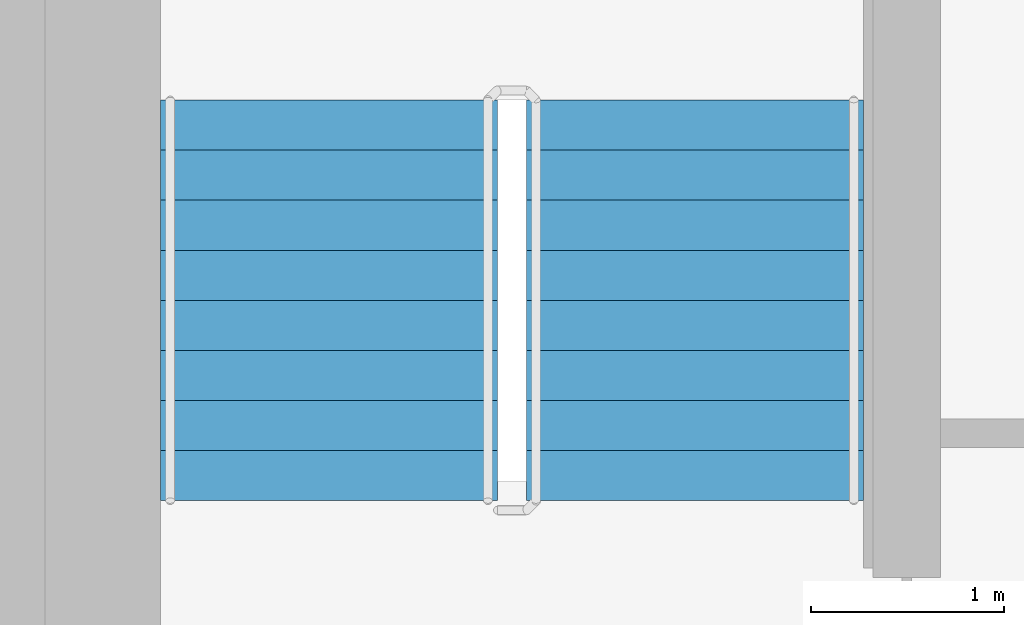
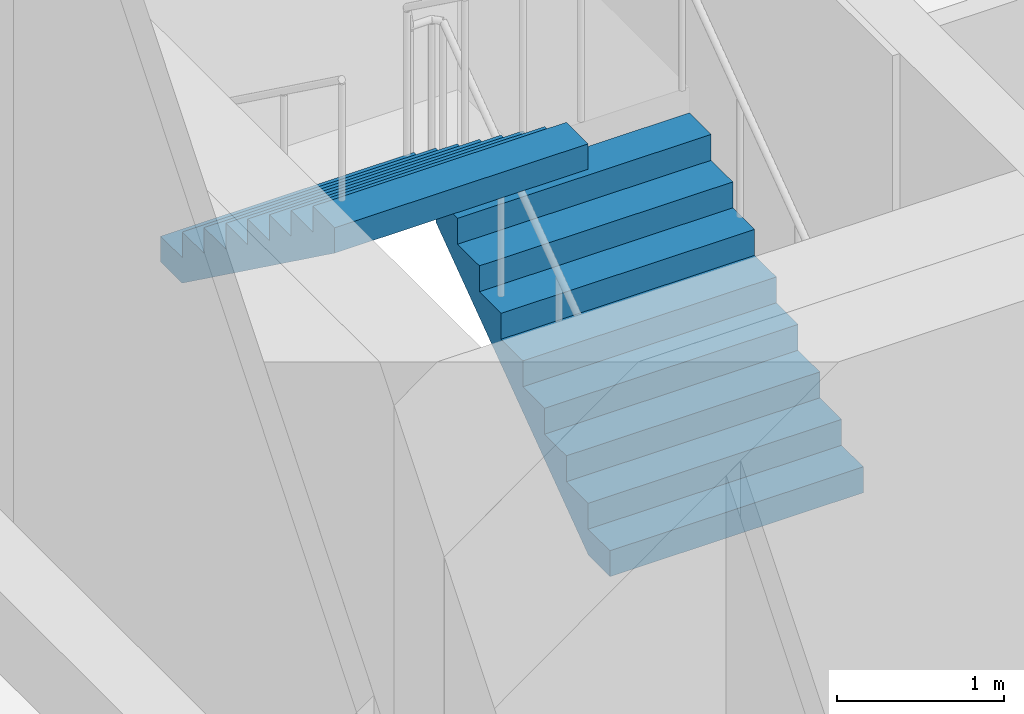
# One storey, part 15 of 18: 2 stair flights, 1 element without a shape of its own.
"""IFC4 building model written with IfcOpenShell, lengths in metres."""

from ifc_helpers import new_model, si_unit, direction, frame, origin, place, context, subcontext, project, spatial, faceted_brep, material, type_object, element, aggregate, save


model = new_model("IFC4")

# Units and contexts
model_context = context("Model", 3, precision=1e-05, world=origin(), true_north=direction((0.0, 1.0)))
body_context = subcontext(model_context, "Body", "Model", "MODEL_VIEW")
ifc_project = project(units=[si_unit("LENGTHUNIT", "METRE"), si_unit("AREAUNIT", "SQUARE_METRE"), si_unit("VOLUMEUNIT", "CUBIC_METRE"), si_unit("PLANEANGLEUNIT", "RADIAN"), si_unit("MASSUNIT", "GRAM", prefix="KILO")], contexts=[model_context])

# Site, building, storey
site_placement = place(None, origin())
site = spatial("IfcSite", under=ifc_project, at=site_placement, CompositionType="ELEMENT")
building_placement = place(site_placement, origin())
building = spatial("IfcBuilding", under=site, at=building_placement, Name="Ipe Terrace Towers", CompositionType="ELEMENT")
storey_placement = place(building_placement, frame((0.0, 0.0, 226.60009765625)))
storey = spatial("IfcBuildingStorey", under=building, at=storey_placement, Name="L63", CompositionType="ELEMENT", Elevation=226.60009765625)

# Stair, stair flights
ifc_material_1 = material(Name="Concrete C30/37", Category="concrete")
stair_type = type_object("IfcStairType", Name="Protected exit stair", PredefinedType="HALF_TURN_STAIR", material=ifc_material_1)
stair_placement = place(storey_placement, origin())
stair = element("IfcStair", 1, at=stair_placement, inside=storey, type_object=stair_type, Name="L63 Exit stair T2-C1", PredefinedType="HALF_TURN_STAIR")
ifc_material_2 = material(Name="Concrete C30/37", Category="concrete")
stair_flight_type = type_object("IfcStairFlightType", Name="Exit stair flight 1750", PredefinedType="STRAIGHT", material=ifc_material_2)
stair_flight_1_placement = place(storey_placement, frame((33.22509765625, 9.699951171875, 0.0), z_axis=(0.0, 0.0, 1.0), x_axis=(0.0, 1.0, 0.0)))
stair_flight_1 = element("IfcStairFlight", 2, at=stair_flight_1_placement, type_object=stair_flight_type, Name="T2-ST1 flight 1", NumberOfRisers=9, NumberOfTreads=8, PredefinedType="STRAIGHT", RiserHeight=0.188888889, TreadLength=0.26, context=body_context, shape_type="Brep", body=[
    faceted_brep([(0.255126953125, -0.875, 0.0), (2.080078125, -0.875, 1.325927734375), (2.080078125, -0.875, 1.51123046875), (1.820068359375, -0.875, 1.51123046875), (1.820068359375, -0.875, 1.322265625), (1.56005859375, -0.875, 1.322265625), (1.56005859375, -0.875, 1.13330078125), (1.300048828125, -0.875, 1.13330078125), (1.300048828125, -0.875, 0.9443359375), (1.0400390625, -0.875, 0.9443359375), (1.0400390625, -0.875, 0.755615234375), (0.780029296875, -0.875, 0.755615234375), (0.780029296875, -0.875, 0.566650390625), (0.52001953125, -0.875, 0.566650390625), (0.52001953125, -0.875, 0.377685546875), (0.260009765625, -0.875, 0.377685546875), (0.260009765625, -0.875, 0.18896484375), (0.0, -0.875, 0.18896484375), (0.0, -0.875, 0.0), (0.0, 0.875, 0.0), (0.0, 0.875, 0.18896484375), (0.260009765625, 0.875, 0.18896484375), (0.260009765625, 0.875, 0.377685546875), (0.52001953125, 0.875, 0.377685546875), (0.52001953125, 0.875, 0.566650390625), (0.780029296875, 0.875, 0.566650390625), (0.780029296875, 0.875, 0.755615234375), (1.0400390625, 0.875, 0.755615234375), (1.0400390625, 0.875, 0.9443359375), (1.300048828125, 0.875, 0.9443359375), (1.300048828125, 0.875, 1.13330078125), (1.56005859375, 0.875, 1.13330078125), (1.56005859375, 0.875, 1.322265625), (1.820068359375, 0.875, 1.322265625), (1.820068359375, 0.875, 1.51123046875), (2.080078125, 0.875, 1.51123046875), (2.080078125, 0.875, 1.325927734375), (0.255126953125, 0.875, 0.0), (0.0, -0.300048828125, 0.18896484375), (0.0, -0.1201171875, 0.18896484375), (0.0, -0.06005859375, 0.18896484375), (0.0, -0.030029296875, 0.18896484375), (0.0, -0.010009765625, 0.18896484375), (0.0, 0.0, 0.18896484375), (0.0, 0.010009765625, 0.18896484375), (0.0, 0.030029296875, 0.18896484375), (0.0, 0.06005859375, 0.18896484375), (0.0, 0.1201171875, 0.18896484375), (0.0, 0.300048828125, 0.18896484375), (0.0, 0.300048828125, 0.0), (0.0, 0.1201171875, 0.0), (0.0, 0.06005859375, 0.0), (0.0, 0.030029296875, 0.0), (0.0, 0.010009765625, 0.0), (0.0, 0.0, 0.0), (0.0, -0.010009765625, 0.0), (0.0, -0.030029296875, 0.0), (0.0, -0.06005859375, 0.0), (0.0, -0.1201171875, 0.0), (0.0, -0.300048828125, 0.0), (0.260009765625, -0.300048828125, 0.18896484375), (0.260009765625, -0.1201171875, 0.18896484375), (0.260009765625, -0.06005859375, 0.18896484375), (0.260009765625, -0.030029296875, 0.18896484375), (0.260009765625, -0.010009765625, 0.18896484375), (0.260009765625, 0.0, 0.18896484375), (0.260009765625, 0.010009765625, 0.18896484375), (0.260009765625, 0.030029296875, 0.18896484375), (0.260009765625, 0.06005859375, 0.18896484375), (0.260009765625, 0.1201171875, 0.18896484375), (0.260009765625, 0.300048828125, 0.18896484375), (0.260009765625, -0.300048828125, 0.377685546875), (0.260009765625, -0.1201171875, 0.377685546875), (0.260009765625, -0.06005859375, 0.377685546875), (0.260009765625, -0.030029296875, 0.377685546875), (0.260009765625, -0.010009765625, 0.377685546875), (0.260009765625, 0.0, 0.377685546875), (0.260009765625, 0.010009765625, 0.377685546875), (0.260009765625, 0.030029296875, 0.377685546875), (0.260009765625, 0.06005859375, 0.377685546875), (0.260009765625, 0.1201171875, 0.377685546875), (0.260009765625, 0.300048828125, 0.377685546875), (0.52001953125, -0.300048828125, 0.377685546875), (0.52001953125, -0.1201171875, 0.377685546875), (0.52001953125, -0.06005859375, 0.377685546875), (0.52001953125, -0.030029296875, 0.377685546875), (0.52001953125, -0.010009765625, 0.377685546875), (0.52001953125, 0.0, 0.377685546875), (0.52001953125, 0.010009765625, 0.377685546875), (0.52001953125, 0.030029296875, 0.377685546875), (0.52001953125, 0.06005859375, 0.377685546875), (0.52001953125, 0.1201171875, 0.377685546875), (0.52001953125, 0.300048828125, 0.377685546875), (0.52001953125, -0.300048828125, 0.566650390625), (0.52001953125, -0.1201171875, 0.566650390625), (0.52001953125, -0.06005859375, 0.566650390625), (0.52001953125, -0.030029296875, 0.566650390625), (0.52001953125, -0.010009765625, 0.566650390625), (0.52001953125, 0.0, 0.566650390625), (0.52001953125, 0.010009765625, 0.566650390625), (0.52001953125, 0.030029296875, 0.566650390625), (0.52001953125, 0.06005859375, 0.566650390625), (0.52001953125, 0.1201171875, 0.566650390625), (0.52001953125, 0.300048828125, 0.566650390625), (0.780029296875, -0.300048828125, 0.566650390625), (0.780029296875, -0.1201171875, 0.566650390625), (0.780029296875, -0.06005859375, 0.566650390625), (0.780029296875, -0.030029296875, 0.566650390625), (0.780029296875, -0.010009765625, 0.566650390625), (0.780029296875, 0.0, 0.566650390625), (0.780029296875, 0.010009765625, 0.566650390625), (0.780029296875, 0.030029296875, 0.566650390625), (0.780029296875, 0.06005859375, 0.566650390625), (0.780029296875, 0.1201171875, 0.566650390625), (0.780029296875, 0.300048828125, 0.566650390625), (0.780029296875, -0.300048828125, 0.755615234375), (0.780029296875, -0.1201171875, 0.755615234375), (0.780029296875, -0.06005859375, 0.755615234375), (0.780029296875, -0.030029296875, 0.755615234375), (0.780029296875, -0.010009765625, 0.755615234375), (0.780029296875, 0.0, 0.755615234375), (0.780029296875, 0.010009765625, 0.755615234375), (0.780029296875, 0.030029296875, 0.755615234375), (0.780029296875, 0.06005859375, 0.755615234375), (0.780029296875, 0.1201171875, 0.755615234375), (0.780029296875, 0.300048828125, 0.755615234375), (1.0400390625, -0.300048828125, 0.755615234375), (1.0400390625, -0.1201171875, 0.755615234375), (1.0400390625, -0.06005859375, 0.755615234375), (1.0400390625, -0.030029296875, 0.755615234375), (1.0400390625, -0.010009765625, 0.755615234375), (1.0400390625, 0.0, 0.755615234375), (1.0400390625, 0.010009765625, 0.755615234375), (1.0400390625, 0.030029296875, 0.755615234375), (1.0400390625, 0.06005859375, 0.755615234375), (1.0400390625, 0.1201171875, 0.755615234375), (1.0400390625, 0.300048828125, 0.755615234375), (1.0400390625, -0.300048828125, 0.9443359375), (1.0400390625, -0.1201171875, 0.9443359375), (1.0400390625, -0.06005859375, 0.9443359375), (1.0400390625, -0.030029296875, 0.9443359375), (1.0400390625, -0.010009765625, 0.9443359375), (1.0400390625, 0.0, 0.9443359375), (1.0400390625, 0.010009765625, 0.9443359375), (1.0400390625, 0.030029296875, 0.9443359375), (1.0400390625, 0.06005859375, 0.9443359375), (1.0400390625, 0.1201171875, 0.9443359375), (1.0400390625, 0.300048828125, 0.9443359375), (1.300048828125, -0.300048828125, 0.9443359375), (1.300048828125, -0.1201171875, 0.9443359375), (1.300048828125, -0.06005859375, 0.9443359375), (1.300048828125, -0.030029296875, 0.9443359375), (1.300048828125, -0.010009765625, 0.9443359375), (1.300048828125, 0.0, 0.9443359375), (1.300048828125, 0.010009765625, 0.9443359375), (1.300048828125, 0.030029296875, 0.9443359375), (1.300048828125, 0.06005859375, 0.9443359375), (1.300048828125, 0.1201171875, 0.9443359375), (1.300048828125, 0.300048828125, 0.9443359375), (1.300048828125, -0.300048828125, 1.13330078125), (1.300048828125, -0.1201171875, 1.13330078125), (1.300048828125, -0.06005859375, 1.13330078125), (1.300048828125, -0.030029296875, 1.13330078125), (1.300048828125, -0.010009765625, 1.13330078125), (1.300048828125, 0.0, 1.13330078125), (1.300048828125, 0.010009765625, 1.13330078125), (1.300048828125, 0.030029296875, 1.13330078125), (1.300048828125, 0.06005859375, 1.13330078125), (1.300048828125, 0.1201171875, 1.13330078125), (1.300048828125, 0.300048828125, 1.13330078125), (1.56005859375, -0.300048828125, 1.13330078125), (1.56005859375, -0.1201171875, 1.13330078125), (1.56005859375, -0.06005859375, 1.13330078125), (1.56005859375, -0.030029296875, 1.13330078125), (1.56005859375, -0.010009765625, 1.13330078125), (1.56005859375, 0.0, 1.13330078125), (1.56005859375, 0.010009765625, 1.13330078125), (1.56005859375, 0.030029296875, 1.13330078125), (1.56005859375, 0.06005859375, 1.13330078125), (1.56005859375, 0.1201171875, 1.13330078125), (1.56005859375, 0.300048828125, 1.13330078125), (1.56005859375, -0.300048828125, 1.322265625), (1.56005859375, -0.1201171875, 1.322265625), (1.56005859375, -0.06005859375, 1.322265625), (1.56005859375, -0.030029296875, 1.322265625), (1.56005859375, -0.010009765625, 1.322265625), (1.56005859375, 0.0, 1.322265625), (1.56005859375, 0.010009765625, 1.322265625), (1.56005859375, 0.030029296875, 1.322265625), (1.56005859375, 0.06005859375, 1.322265625), (1.56005859375, 0.1201171875, 1.322265625), (1.56005859375, 0.300048828125, 1.322265625), (1.820068359375, -0.300048828125, 1.322265625), (1.820068359375, -0.1201171875, 1.322265625), (1.820068359375, -0.06005859375, 1.322265625), (1.820068359375, -0.030029296875, 1.322265625), (1.820068359375, -0.010009765625, 1.322265625), (1.820068359375, 0.0, 1.322265625), (1.820068359375, 0.010009765625, 1.322265625), (1.820068359375, 0.030029296875, 1.322265625), (1.820068359375, 0.06005859375, 1.322265625), (1.820068359375, 0.1201171875, 1.322265625), (1.820068359375, 0.300048828125, 1.322265625), (1.820068359375, -0.300048828125, 1.51123046875), (1.820068359375, -0.1201171875, 1.51123046875), (1.820068359375, -0.06005859375, 1.51123046875), (1.820068359375, -0.030029296875, 1.51123046875), (1.820068359375, -0.010009765625, 1.51123046875), (1.820068359375, 0.0, 1.51123046875), (1.820068359375, 0.010009765625, 1.51123046875), (1.820068359375, 0.030029296875, 1.51123046875), (1.820068359375, 0.06005859375, 1.51123046875), (1.820068359375, 0.1201171875, 1.51123046875), (1.820068359375, 0.300048828125, 1.51123046875), (2.080078125, -0.300048828125, 1.51123046875), (2.080078125, -0.1201171875, 1.51123046875), (2.080078125, -0.06005859375, 1.51123046875), (2.080078125, -0.030029296875, 1.51123046875), (2.080078125, -0.010009765625, 1.51123046875), (2.080078125, 0.0, 1.51123046875), (2.080078125, 0.010009765625, 1.51123046875), (2.080078125, 0.030029296875, 1.51123046875), (2.080078125, 0.06005859375, 1.51123046875), (2.080078125, 0.1201171875, 1.51123046875), (2.080078125, 0.300048828125, 1.51123046875), (2.080078125, -0.300048828125, 1.325927734375), (2.080078125, -0.1201171875, 1.325927734375), (2.080078125, -0.06005859375, 1.325927734375), (2.080078125, -0.030029296875, 1.325927734375), (2.080078125, -0.010009765625, 1.325927734375), (2.080078125, 0.0, 1.325927734375), (2.080078125, 0.010009765625, 1.325927734375), (2.080078125, 0.030029296875, 1.325927734375), (2.080078125, 0.06005859375, 1.325927734375), (2.080078125, 0.1201171875, 1.325927734375), (2.080078125, 0.300048828125, 1.325927734375), (0.255126953125, -0.300048828125, 0.0), (0.255126953125, -0.1201171875, 0.0), (0.255126953125, -0.06005859375, 0.0), (0.255126953125, -0.030029296875, 0.0), (0.255126953125, -0.010009765625, 0.0), (0.255126953125, 0.0, 0.0), (0.255126953125, 0.010009765625, 0.0), (0.255126953125, 0.030029296875, 0.0), (0.255126953125, 0.06005859375, 0.0), (0.255126953125, 0.1201171875, 0.0), (0.255126953125, 0.300048828125, 0.0)], [[[0, 1, 2, 3, 4, 5, 6, 7, 8, 9, 10, 11, 12, 13, 14, 15, 16, 17, 18]], [[19, 20, 21, 22, 23, 24, 25, 26, 27, 28, 29, 30, 31, 32, 33, 34, 35, 36, 37]], [[17, 38, 39, 40, 41, 42, 43, 44, 45, 46, 47, 48, 20, 19, 49, 50, 51, 52, 53, 54, 55, 56, 57, 58, 59, 18]], [[16, 60, 61, 62, 63, 64, 65, 66, 67, 68, 69, 70, 21, 20, 48, 47, 46, 45, 44, 43, 42, 41, 40, 39, 38, 17]], [[15, 71, 72, 73, 74, 75, 76, 77, 78, 79, 80, 81, 22, 21, 70, 69, 68, 67, 66, 65, 64, 63, 62, 61, 60, 16]], [[14, 82, 83, 84, 85, 86, 87, 88, 89, 90, 91, 92, 23, 22, 81, 80, 79, 78, 77, 76, 75, 74, 73, 72, 71, 15]], [[13, 93, 94, 95, 96, 97, 98, 99, 100, 101, 102, 103, 24, 23, 92, 91, 90, 89, 88, 87, 86, 85, 84, 83, 82, 14]], [[12, 104, 105, 106, 107, 108, 109, 110, 111, 112, 113, 114, 25, 24, 103, 102, 101, 100, 99, 98, 97, 96, 95, 94, 93, 13]], [[11, 115, 116, 117, 118, 119, 120, 121, 122, 123, 124, 125, 26, 25, 114, 113, 112, 111, 110, 109, 108, 107, 106, 105, 104, 12]], [[10, 126, 127, 128, 129, 130, 131, 132, 133, 134, 135, 136, 27, 26, 125, 124, 123, 122, 121, 120, 119, 118, 117, 116, 115, 11]], [[9, 137, 138, 139, 140, 141, 142, 143, 144, 145, 146, 147, 28, 27, 136, 135, 134, 133, 132, 131, 130, 129, 128, 127, 126, 10]], [[8, 148, 149, 150, 151, 152, 153, 154, 155, 156, 157, 158, 29, 28, 147, 146, 145, 144, 143, 142, 141, 140, 139, 138, 137, 9]], [[7, 159, 160, 161, 162, 163, 164, 165, 166, 167, 168, 169, 30, 29, 158, 157, 156, 155, 154, 153, 152, 151, 150, 149, 148, 8]], [[6, 170, 171, 172, 173, 174, 175, 176, 177, 178, 179, 180, 31, 30, 169, 168, 167, 166, 165, 164, 163, 162, 161, 160, 159, 7]], [[5, 181, 182, 183, 184, 185, 186, 187, 188, 189, 190, 191, 32, 31, 180, 179, 178, 177, 176, 175, 174, 173, 172, 171, 170, 6]], [[4, 192, 193, 194, 195, 196, 197, 198, 199, 200, 201, 202, 33, 32, 191, 190, 189, 188, 187, 186, 185, 184, 183, 182, 181, 5]], [[3, 203, 204, 205, 206, 207, 208, 209, 210, 211, 212, 213, 34, 33, 202, 201, 200, 199, 198, 197, 196, 195, 194, 193, 192, 4]], [[2, 214, 215, 216, 217, 218, 219, 220, 221, 222, 223, 224, 35, 34, 213, 212, 211, 210, 209, 208, 207, 206, 205, 204, 203, 3]], [[1, 225, 226, 227, 228, 229, 230, 231, 232, 233, 234, 235, 36, 35, 224, 223, 222, 221, 220, 219, 218, 217, 216, 215, 214, 2]], [[0, 236, 237, 238, 239, 240, 241, 242, 243, 244, 245, 246, 37, 36, 235, 234, 233, 232, 231, 230, 229, 228, 227, 226, 225, 1]], [[18, 59, 58, 57, 56, 55, 54, 53, 52, 51, 50, 49, 19, 37, 246, 245, 244, 243, 242, 241, 240, 239, 238, 237, 236, 0]]]),
])
stair_flight_2_placement = place(storey_placement, frame((31.324951171875, 11.780029296875, 1.699951171875), z_axis=(0.0, 0.0, 1.0), x_axis=(0.0, -1.0, 0.0)))
stair_flight_2 = element("IfcStairFlight", 3, at=stair_flight_2_placement, type_object=stair_flight_type, Name="T2-ST1 flight 2", NumberOfRisers=9, NumberOfTreads=8, PredefinedType="STRAIGHT", RiserHeight=0.188888889, TreadLength=0.26, context=body_context, shape_type="Brep", body=[
    faceted_brep([(0.255126953125, -0.875, 0.0), (2.080078125, -0.875, 1.325927734375), (2.080078125, -0.875, 1.51123046875), (1.820068359375, -0.875, 1.51123046875), (1.820068359375, -0.875, 1.322265625), (1.56005859375, -0.875, 1.322265625), (1.56005859375, -0.875, 1.13330078125), (1.300048828125, -0.875, 1.13330078125), (1.300048828125, -0.875, 0.9443359375), (1.0400390625, -0.875, 0.9443359375), (1.0400390625, -0.875, 0.755615234375), (0.780029296875, -0.875, 0.755615234375), (0.780029296875, -0.875, 0.566650390625), (0.52001953125, -0.875, 0.566650390625), (0.52001953125, -0.875, 0.377685546875), (0.260009765625, -0.875, 0.377685546875), (0.260009765625, -0.875, 0.18896484375), (0.0, -0.875, 0.18896484375), (0.0, -0.875, 0.0), (0.0, 0.875, 0.0), (0.0, 0.875, 0.18896484375), (0.260009765625, 0.875, 0.18896484375), (0.260009765625, 0.875, 0.377685546875), (0.52001953125, 0.875, 0.377685546875), (0.52001953125, 0.875, 0.566650390625), (0.780029296875, 0.875, 0.566650390625), (0.780029296875, 0.875, 0.755615234375), (1.0400390625, 0.875, 0.755615234375), (1.0400390625, 0.875, 0.9443359375), (1.300048828125, 0.875, 0.9443359375), (1.300048828125, 0.875, 1.13330078125), (1.56005859375, 0.875, 1.13330078125), (1.56005859375, 0.875, 1.322265625), (1.820068359375, 0.875, 1.322265625), (1.820068359375, 0.875, 1.51123046875), (2.080078125, 0.875, 1.51123046875), (2.080078125, 0.875, 1.325927734375), (0.255126953125, 0.875, 0.0), (0.0, -0.300048828125, 0.18896484375), (0.0, -0.1201171875, 0.18896484375), (0.0, -0.06005859375, 0.18896484375), (0.0, -0.030029296875, 0.18896484375), (0.0, -0.010009765625, 0.18896484375), (0.0, 0.0, 0.18896484375), (0.0, 0.010009765625, 0.18896484375), (0.0, 0.030029296875, 0.18896484375), (0.0, 0.06005859375, 0.18896484375), (0.0, 0.1201171875, 0.18896484375), (0.0, 0.300048828125, 0.18896484375), (0.0, 0.300048828125, 0.0), (0.0, 0.1201171875, 0.0), (0.0, 0.06005859375, 0.0), (0.0, 0.030029296875, 0.0), (0.0, 0.010009765625, 0.0), (0.0, 0.0, 0.0), (0.0, -0.010009765625, 0.0), (0.0, -0.030029296875, 0.0), (0.0, -0.06005859375, 0.0), (0.0, -0.1201171875, 0.0), (0.0, -0.300048828125, 0.0), (0.260009765625, -0.300048828125, 0.18896484375), (0.260009765625, -0.1201171875, 0.18896484375), (0.260009765625, -0.06005859375, 0.18896484375), (0.260009765625, -0.030029296875, 0.18896484375), (0.260009765625, -0.010009765625, 0.18896484375), (0.260009765625, 0.0, 0.18896484375), (0.260009765625, 0.010009765625, 0.18896484375), (0.260009765625, 0.030029296875, 0.18896484375), (0.260009765625, 0.06005859375, 0.18896484375), (0.260009765625, 0.1201171875, 0.18896484375), (0.260009765625, 0.300048828125, 0.18896484375), (0.260009765625, -0.300048828125, 0.377685546875), (0.260009765625, -0.1201171875, 0.377685546875), (0.260009765625, -0.06005859375, 0.377685546875), (0.260009765625, -0.030029296875, 0.377685546875), (0.260009765625, -0.010009765625, 0.377685546875), (0.260009765625, 0.0, 0.377685546875), (0.260009765625, 0.010009765625, 0.377685546875), (0.260009765625, 0.030029296875, 0.377685546875), (0.260009765625, 0.06005859375, 0.377685546875), (0.260009765625, 0.1201171875, 0.377685546875), (0.260009765625, 0.300048828125, 0.377685546875), (0.52001953125, -0.300048828125, 0.377685546875), (0.52001953125, -0.1201171875, 0.377685546875), (0.52001953125, -0.06005859375, 0.377685546875), (0.52001953125, -0.030029296875, 0.377685546875), (0.52001953125, -0.010009765625, 0.377685546875), (0.52001953125, 0.0, 0.377685546875), (0.52001953125, 0.010009765625, 0.377685546875), (0.52001953125, 0.030029296875, 0.377685546875), (0.52001953125, 0.06005859375, 0.377685546875), (0.52001953125, 0.1201171875, 0.377685546875), (0.52001953125, 0.300048828125, 0.377685546875), (0.52001953125, -0.300048828125, 0.566650390625), (0.52001953125, -0.1201171875, 0.566650390625), (0.52001953125, -0.06005859375, 0.566650390625), (0.52001953125, -0.030029296875, 0.566650390625), (0.52001953125, -0.010009765625, 0.566650390625), (0.52001953125, 0.0, 0.566650390625), (0.52001953125, 0.010009765625, 0.566650390625), (0.52001953125, 0.030029296875, 0.566650390625), (0.52001953125, 0.06005859375, 0.566650390625), (0.52001953125, 0.1201171875, 0.566650390625), (0.52001953125, 0.300048828125, 0.566650390625), (0.780029296875, -0.300048828125, 0.566650390625), (0.780029296875, -0.1201171875, 0.566650390625), (0.780029296875, -0.06005859375, 0.566650390625), (0.780029296875, -0.030029296875, 0.566650390625), (0.780029296875, -0.010009765625, 0.566650390625), (0.780029296875, 0.0, 0.566650390625), (0.780029296875, 0.010009765625, 0.566650390625), (0.780029296875, 0.030029296875, 0.566650390625), (0.780029296875, 0.06005859375, 0.566650390625), (0.780029296875, 0.1201171875, 0.566650390625), (0.780029296875, 0.300048828125, 0.566650390625), (0.780029296875, -0.300048828125, 0.755615234375), (0.780029296875, -0.1201171875, 0.755615234375), (0.780029296875, -0.06005859375, 0.755615234375), (0.780029296875, -0.030029296875, 0.755615234375), (0.780029296875, -0.010009765625, 0.755615234375), (0.780029296875, 0.0, 0.755615234375), (0.780029296875, 0.010009765625, 0.755615234375), (0.780029296875, 0.030029296875, 0.755615234375), (0.780029296875, 0.06005859375, 0.755615234375), (0.780029296875, 0.1201171875, 0.755615234375), (0.780029296875, 0.300048828125, 0.755615234375), (1.0400390625, -0.300048828125, 0.755615234375), (1.0400390625, -0.1201171875, 0.755615234375), (1.0400390625, -0.06005859375, 0.755615234375), (1.0400390625, -0.030029296875, 0.755615234375), (1.0400390625, -0.010009765625, 0.755615234375), (1.0400390625, 0.0, 0.755615234375), (1.0400390625, 0.010009765625, 0.755615234375), (1.0400390625, 0.030029296875, 0.755615234375), (1.0400390625, 0.06005859375, 0.755615234375), (1.0400390625, 0.1201171875, 0.755615234375), (1.0400390625, 0.300048828125, 0.755615234375), (1.0400390625, -0.300048828125, 0.9443359375), (1.0400390625, -0.1201171875, 0.9443359375), (1.0400390625, -0.06005859375, 0.9443359375), (1.0400390625, -0.030029296875, 0.9443359375), (1.0400390625, -0.010009765625, 0.9443359375), (1.0400390625, 0.0, 0.9443359375), (1.0400390625, 0.010009765625, 0.9443359375), (1.0400390625, 0.030029296875, 0.9443359375), (1.0400390625, 0.06005859375, 0.9443359375), (1.0400390625, 0.1201171875, 0.9443359375), (1.0400390625, 0.300048828125, 0.9443359375), (1.300048828125, -0.300048828125, 0.9443359375), (1.300048828125, -0.1201171875, 0.9443359375), (1.300048828125, -0.06005859375, 0.9443359375), (1.300048828125, -0.030029296875, 0.9443359375), (1.300048828125, -0.010009765625, 0.9443359375), (1.300048828125, 0.0, 0.9443359375), (1.300048828125, 0.010009765625, 0.9443359375), (1.300048828125, 0.030029296875, 0.9443359375), (1.300048828125, 0.06005859375, 0.9443359375), (1.300048828125, 0.1201171875, 0.9443359375), (1.300048828125, 0.300048828125, 0.9443359375), (1.300048828125, -0.300048828125, 1.13330078125), (1.300048828125, -0.1201171875, 1.13330078125), (1.300048828125, -0.06005859375, 1.13330078125), (1.300048828125, -0.030029296875, 1.13330078125), (1.300048828125, -0.010009765625, 1.13330078125), (1.300048828125, 0.0, 1.13330078125), (1.300048828125, 0.010009765625, 1.13330078125), (1.300048828125, 0.030029296875, 1.13330078125), (1.300048828125, 0.06005859375, 1.13330078125), (1.300048828125, 0.1201171875, 1.13330078125), (1.300048828125, 0.300048828125, 1.13330078125), (1.56005859375, -0.300048828125, 1.13330078125), (1.56005859375, -0.1201171875, 1.13330078125), (1.56005859375, -0.06005859375, 1.13330078125), (1.56005859375, -0.030029296875, 1.13330078125), (1.56005859375, -0.010009765625, 1.13330078125), (1.56005859375, 0.0, 1.13330078125), (1.56005859375, 0.010009765625, 1.13330078125), (1.56005859375, 0.030029296875, 1.13330078125), (1.56005859375, 0.06005859375, 1.13330078125), (1.56005859375, 0.1201171875, 1.13330078125), (1.56005859375, 0.300048828125, 1.13330078125), (1.56005859375, -0.300048828125, 1.322265625), (1.56005859375, -0.1201171875, 1.322265625), (1.56005859375, -0.06005859375, 1.322265625), (1.56005859375, -0.030029296875, 1.322265625), (1.56005859375, -0.010009765625, 1.322265625), (1.56005859375, 0.0, 1.322265625), (1.56005859375, 0.010009765625, 1.322265625), (1.56005859375, 0.030029296875, 1.322265625), (1.56005859375, 0.06005859375, 1.322265625), (1.56005859375, 0.1201171875, 1.322265625), (1.56005859375, 0.300048828125, 1.322265625), (1.820068359375, -0.300048828125, 1.322265625), (1.820068359375, -0.1201171875, 1.322265625), (1.820068359375, -0.06005859375, 1.322265625), (1.820068359375, -0.030029296875, 1.322265625), (1.820068359375, -0.010009765625, 1.322265625), (1.820068359375, 0.0, 1.322265625), (1.820068359375, 0.010009765625, 1.322265625), (1.820068359375, 0.030029296875, 1.322265625), (1.820068359375, 0.06005859375, 1.322265625), (1.820068359375, 0.1201171875, 1.322265625), (1.820068359375, 0.300048828125, 1.322265625), (1.820068359375, -0.300048828125, 1.51123046875), (1.820068359375, -0.1201171875, 1.51123046875), (1.820068359375, -0.06005859375, 1.51123046875), (1.820068359375, -0.030029296875, 1.51123046875), (1.820068359375, -0.010009765625, 1.51123046875), (1.820068359375, 0.0, 1.51123046875), (1.820068359375, 0.010009765625, 1.51123046875), (1.820068359375, 0.030029296875, 1.51123046875), (1.820068359375, 0.06005859375, 1.51123046875), (1.820068359375, 0.1201171875, 1.51123046875), (1.820068359375, 0.300048828125, 1.51123046875), (2.080078125, -0.300048828125, 1.51123046875), (2.080078125, -0.1201171875, 1.51123046875), (2.080078125, -0.06005859375, 1.51123046875), (2.080078125, -0.030029296875, 1.51123046875), (2.080078125, -0.010009765625, 1.51123046875), (2.080078125, 0.0, 1.51123046875), (2.080078125, 0.010009765625, 1.51123046875), (2.080078125, 0.030029296875, 1.51123046875), (2.080078125, 0.06005859375, 1.51123046875), (2.080078125, 0.1201171875, 1.51123046875), (2.080078125, 0.300048828125, 1.51123046875), (2.080078125, -0.300048828125, 1.325927734375), (2.080078125, -0.1201171875, 1.325927734375), (2.080078125, -0.06005859375, 1.325927734375), (2.080078125, -0.030029296875, 1.325927734375), (2.080078125, -0.010009765625, 1.325927734375), (2.080078125, 0.0, 1.325927734375), (2.080078125, 0.010009765625, 1.325927734375), (2.080078125, 0.030029296875, 1.325927734375), (2.080078125, 0.06005859375, 1.325927734375), (2.080078125, 0.1201171875, 1.325927734375), (2.080078125, 0.300048828125, 1.325927734375), (0.255126953125, -0.300048828125, 0.0), (0.255126953125, -0.1201171875, 0.0), (0.255126953125, -0.06005859375, 0.0), (0.255126953125, -0.030029296875, 0.0), (0.255126953125, -0.010009765625, 0.0), (0.255126953125, 0.0, 0.0), (0.255126953125, 0.010009765625, 0.0), (0.255126953125, 0.030029296875, 0.0), (0.255126953125, 0.06005859375, 0.0), (0.255126953125, 0.1201171875, 0.0), (0.255126953125, 0.300048828125, 0.0)], [[[0, 1, 2, 3, 4, 5, 6, 7, 8, 9, 10, 11, 12, 13, 14, 15, 16, 17, 18]], [[19, 20, 21, 22, 23, 24, 25, 26, 27, 28, 29, 30, 31, 32, 33, 34, 35, 36, 37]], [[17, 38, 39, 40, 41, 42, 43, 44, 45, 46, 47, 48, 20, 19, 49, 50, 51, 52, 53, 54, 55, 56, 57, 58, 59, 18]], [[16, 60, 61, 62, 63, 64, 65, 66, 67, 68, 69, 70, 21, 20, 48, 47, 46, 45, 44, 43, 42, 41, 40, 39, 38, 17]], [[15, 71, 72, 73, 74, 75, 76, 77, 78, 79, 80, 81, 22, 21, 70, 69, 68, 67, 66, 65, 64, 63, 62, 61, 60, 16]], [[14, 82, 83, 84, 85, 86, 87, 88, 89, 90, 91, 92, 23, 22, 81, 80, 79, 78, 77, 76, 75, 74, 73, 72, 71, 15]], [[13, 93, 94, 95, 96, 97, 98, 99, 100, 101, 102, 103, 24, 23, 92, 91, 90, 89, 88, 87, 86, 85, 84, 83, 82, 14]], [[12, 104, 105, 106, 107, 108, 109, 110, 111, 112, 113, 114, 25, 24, 103, 102, 101, 100, 99, 98, 97, 96, 95, 94, 93, 13]], [[11, 115, 116, 117, 118, 119, 120, 121, 122, 123, 124, 125, 26, 25, 114, 113, 112, 111, 110, 109, 108, 107, 106, 105, 104, 12]], [[10, 126, 127, 128, 129, 130, 131, 132, 133, 134, 135, 136, 27, 26, 125, 124, 123, 122, 121, 120, 119, 118, 117, 116, 115, 11]], [[9, 137, 138, 139, 140, 141, 142, 143, 144, 145, 146, 147, 28, 27, 136, 135, 134, 133, 132, 131, 130, 129, 128, 127, 126, 10]], [[8, 148, 149, 150, 151, 152, 153, 154, 155, 156, 157, 158, 29, 28, 147, 146, 145, 144, 143, 142, 141, 140, 139, 138, 137, 9]], [[7, 159, 160, 161, 162, 163, 164, 165, 166, 167, 168, 169, 30, 29, 158, 157, 156, 155, 154, 153, 152, 151, 150, 149, 148, 8]], [[6, 170, 171, 172, 173, 174, 175, 176, 177, 178, 179, 180, 31, 30, 169, 168, 167, 166, 165, 164, 163, 162, 161, 160, 159, 7]], [[5, 181, 182, 183, 184, 185, 186, 187, 188, 189, 190, 191, 32, 31, 180, 179, 178, 177, 176, 175, 174, 173, 172, 171, 170, 6]], [[4, 192, 193, 194, 195, 196, 197, 198, 199, 200, 201, 202, 33, 32, 191, 190, 189, 188, 187, 186, 185, 184, 183, 182, 181, 5]], [[3, 203, 204, 205, 206, 207, 208, 209, 210, 211, 212, 213, 34, 33, 202, 201, 200, 199, 198, 197, 196, 195, 194, 193, 192, 4]], [[2, 214, 215, 216, 217, 218, 219, 220, 221, 222, 223, 224, 35, 34, 213, 212, 211, 210, 209, 208, 207, 206, 205, 204, 203, 3]], [[1, 225, 226, 227, 228, 229, 230, 231, 232, 233, 234, 235, 36, 35, 224, 223, 222, 221, 220, 219, 218, 217, 216, 215, 214, 2]], [[0, 236, 237, 238, 239, 240, 241, 242, 243, 244, 245, 246, 37, 36, 235, 234, 233, 232, 231, 230, 229, 228, 227, 226, 225, 1]], [[18, 59, 58, 57, 56, 55, 54, 53, 52, 51, 50, 49, 19, 37, 246, 245, 244, 243, 242, 241, 240, 239, 238, 237, 236, 0]]]),
])
aggregate(stair, [stair_flight_1, stair_flight_2])

save(model, "model.ifc")
